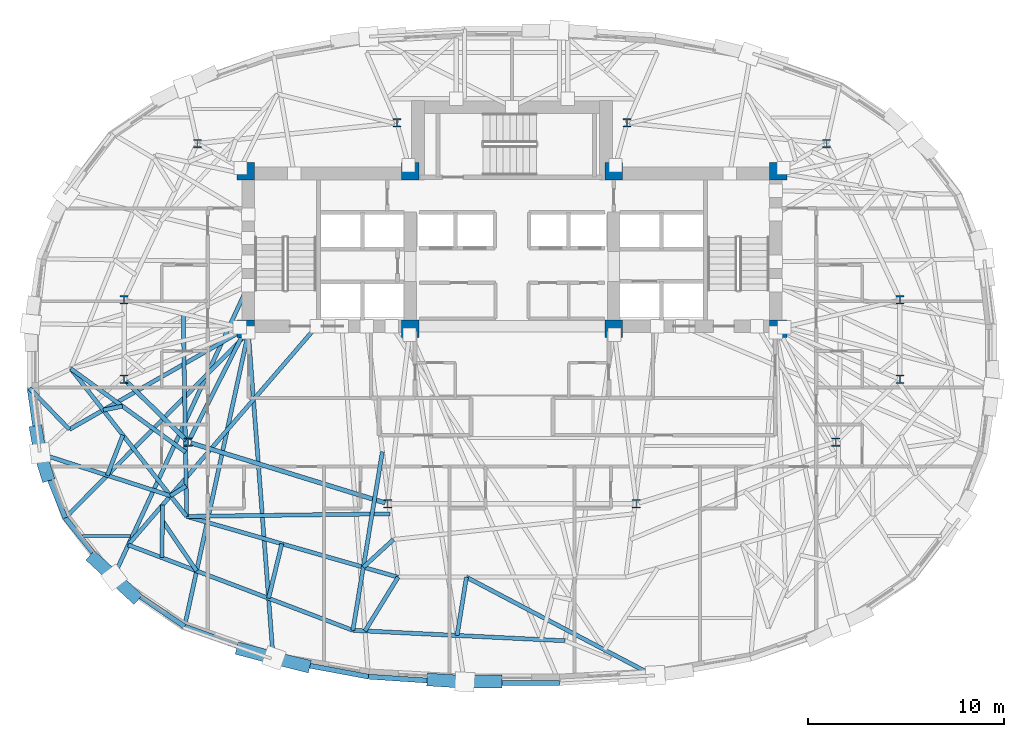
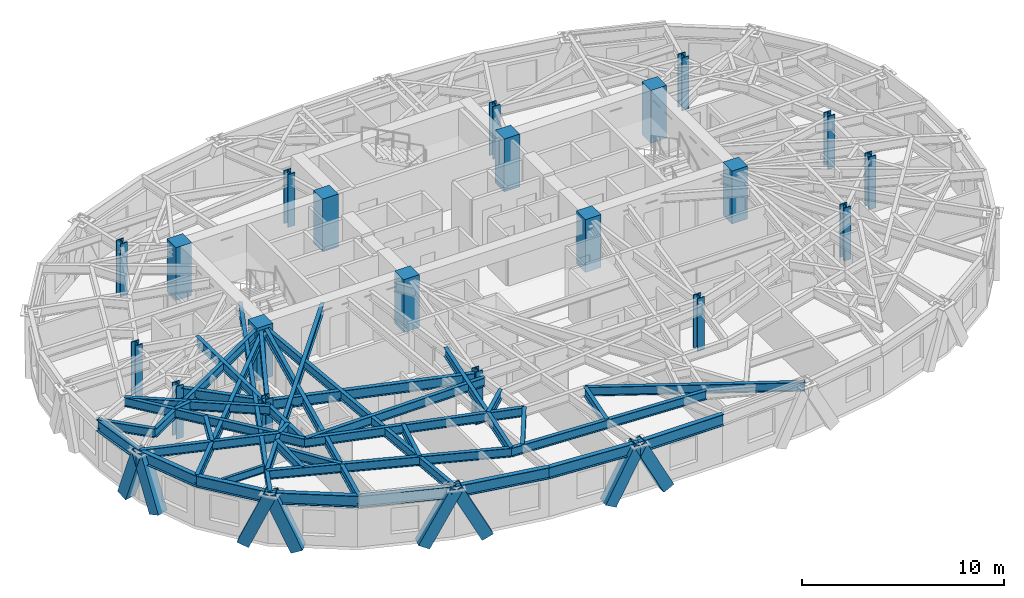
# One storey, part 1 of 15: 38 beams, 20 columns, 8 members.
"""IFC4 building model written with IfcOpenShell, lengths in metres."""

from ifc_helpers import new_model, si_unit, direction, frame, origin, origin_2d, place, context, subcontext, project, spatial, rectangle, hollow_rectangle, i_section, extrude, material, material_profile, profile_set, type_object, element, save


model = new_model("IFC4")

# Units and contexts
model_context = context("Model", 3, precision=1e-05, world=origin(), true_north=direction((0.0, 1.0)))
body_context = subcontext(model_context, "Body", "Model", "MODEL_VIEW")
ifc_project = project(units=[si_unit("LENGTHUNIT", "METRE"), si_unit("AREAUNIT", "SQUARE_METRE"), si_unit("VOLUMEUNIT", "CUBIC_METRE"), si_unit("PLANEANGLEUNIT", "RADIAN"), si_unit("MASSUNIT", "GRAM", prefix="KILO")], contexts=[model_context])

# Site, building, storey
site_placement = place(None, origin())
site = spatial("IfcSite", under=ifc_project, at=site_placement, CompositionType="ELEMENT")
building_placement = place(site_placement, origin())
building = spatial("IfcBuilding", under=site, at=building_placement, Name="Keldmark Tower", CompositionType="ELEMENT")
storey_placement = place(building_placement, frame((0.0, 0.0, 143.800048828125)))
storey = spatial("IfcBuildingStorey", under=building, at=storey_placement, Name="L38", CompositionType="ELEMENT", Elevation=143.800048828125)

# Columns
ifc_material_1 = material(Name="Concrete C50/60", Category="concrete")
ifc_material_profile_1 = material_profile(ifc_material_1, rectangle(XDim=0.89990234375, YDim=0.89990234375, at=origin_2d()), Name="RC900X900")
ifc_profile_set_1 = profile_set([ifc_material_profile_1], Name="Concrete C50/60")
column_type_1 = type_object("IfcColumnType", Name="Core Boundary Column RC900", PredefinedType="COLUMN", material=ifc_profile_set_1)
for number, where, z_axis, x_axis, name in (
    (1, (-13.60009765625, 1.39990234375, 0.0), (0.0, 0.0, 1.0), (1.0, 0.0, 0.0), "L38 Core Boundary Column CC-W1"),
    (2, (-13.60009765625, 9.449951171875, 0.0), (0.0, 0.0, 1.0), (1.0, 0.0, 0.0), "L38 Core Boundary Column CC-W2"),
    (3, (-5.199951171875, 1.39990234375, 0.0), (0.0, 0.0, 1.0), (1.0, 0.0, 0.0), "L38 Core Boundary Column CC-W3"),
    (4, (-5.199951171875, 9.449951171875, 0.0), (0.0, 0.0, 1.0), (1.0, 0.0, 0.0), "L38 Core Boundary Column CC-W4"),
    (5, (5.199951171875, 1.39990234375, 0.0), (0.0, 0.0, 1.0), (1.0, 0.0, 0.0), "L38 Core Boundary Column CC-E1"),
    (6, (5.199951171875, 9.449951171875, 0.0), (0.0, 0.0, 1.0), (1.0, 0.0, 0.0), "L38 Core Boundary Column CC-E2"),
    (7, (13.60009765625, 1.39990234375, 0.0), (0.0, 0.0, 1.0), (1.0, 0.0, 0.0), "L38 Core Boundary Column CC-E3"),
    (8, (13.60009765625, 9.449951171875, 0.0), (0.0, 0.0, 1.0), (1.0, 0.0, 0.0), "L38 Core Boundary Column CC-E4"),
):
    element("IfcColumn", number, at=place(storey_placement, frame(where, z_axis=z_axis, x_axis=x_axis)), inside=storey, type_object=column_type_1, Name=name, PredefinedType="COLUMN", context=body_context, shape_type="SweptSolid", body=[
        extrude(rectangle(XDim=0.89990234375, YDim=0.89990234375, at=origin_2d()), origin(), (0.0, 0.0, 1.0), 3.199951171875),
    ])
ifc_material_2 = material(Name="Steel ASTM A992 Grade 50", Category="steel")
ifc_material_profile_2 = material_profile(ifc_material_2, i_section(OverallWidth=0.412109375, OverallDepth=0.43505859375, WebThickness=0.035888671875, FlangeThickness=0.057373046875, at=origin_2d()), Name="W14X311")
ifc_profile_set_2 = profile_set([ifc_material_profile_2], Name="Steel ASTM A992 Grade 50")
column_type_2 = type_object("IfcColumnType", Name="Tower Gravity Column W14X311", PredefinedType="COLUMN", material=ifc_profile_set_2)
for number, where, z_axis, x_axis, name in (
    (9, (19.828369140625, 2.869140625, 0.0), (0.0, 0.0, 1.0), (1.0, 0.0, 0.0), "L38 Tower Gravity Column TC-E1"),
    (10, (16.08154296875, 10.861083984375, 0.0), (0.0, 0.0, 1.0), (1.0, 0.0, 0.0), "L38 Tower Gravity Column TC-E4"),
    (11, (5.880126953125, 11.915283203125, 0.0), (0.0, 0.0, 1.0), (1.0, 0.0, 0.0), "L38 Tower Gravity Column TC-N2"),
    (12, (-5.880126953125, 11.915283203125, 0.0), (0.0, 0.0, 1.0), (1.0, 0.0, 0.0), "L38 Tower Gravity Column TC-N1"),
    (13, (-16.08154296875, 10.861083984375, 0.0), (0.0, 0.0, 1.0), (1.0, 0.0, 0.0), "L38 Tower Gravity Column TC-W4"),
    (14, (-19.828369140625, 2.869140625, 0.0), (0.0, 0.0, 1.0), (1.0, 0.0, 0.0), "L38 Tower Gravity Column TC-W1"),
    (15, (-19.828369140625, -1.189208984375, 0.0), (0.0, 0.0, 1.0), (1.0, 0.0, 0.0), "L38 Tower Gravity Column TC-W5"),
    (16, (-16.546630859375, -4.3984375, 0.0), (0.0, 0.0, 1.0), (1.0, 0.0, 0.0), "L38 Tower Gravity Column TC-W2"),
    (17, (-6.351318359375, -7.546142578125, 0.0), (0.0, 0.0, 1.0), (1.0, 0.0, 0.0), "L38 Tower Gravity Column TC-W3"),
    (18, (6.351318359375, -7.546142578125, 0.0), (0.0, 0.0, 1.0), (1.0, 0.0, 0.0), "L38 Tower Gravity Column TC-E3"),
    (19, (16.546630859375, -4.3984375, 0.0), (0.0, 0.0, 1.0), (1.0, 0.0, 0.0), "L38 Tower Gravity Column TC-E2"),
    (20, (19.828369140625, -1.189208984375, 0.0), (0.0, 0.0, 1.0), (1.0, 0.0, 0.0), "L38 Tower Gravity Column TC-E5"),
):
    element("IfcColumn", number, at=place(storey_placement, frame(where, z_axis=z_axis, x_axis=x_axis)), inside=storey, type_object=column_type_2, Name=name, PredefinedType="COLUMN", context=body_context, shape_type="SweptSolid", body=[
        extrude(i_section(OverallWidth=0.412109375, OverallDepth=0.43505859375, WebThickness=0.035888671875, FlangeThickness=0.057373046875, at=origin_2d()), origin(), (0.0, 0.0, 1.0), 3.199951171875),
    ])

# Beam
ifc_material_3 = material(Name="Steel ASTM A992 Grade 50", Category="steel")
ifc_material_profile_3 = material_profile(ifc_material_3, i_section(OverallWidth=0.153076171875, OverallDepth=0.455078125, WebThickness=0.008056640625, FlangeThickness=0.01318359375, at=origin_2d()), Name="W18X40")
ifc_profile_set_3 = profile_set([ifc_material_profile_3], Name="Steel ASTM A992 Grade 50")
beam_type_1 = type_object("IfcBeamType", Name="Composite Floor Joist W18X40", PredefinedType="JOIST", material=ifc_profile_set_3)
beam_1_placement = place(storey_placement, frame((-21.94189453125, -9.199951171875, 2.79248046875), z_axis=(1.0, 0.0, 0.0), x_axis=(0.0, 1.0, 0.0)))
element("IfcBeam", 21, at=beam_1_placement, inside=storey, type_object=beam_type_1, Name="L38 Composite Floor Joist J02", PredefinedType="JOIST", context=body_context, shape_type="SweptSolid", body=[
    extrude(i_section(OverallWidth=0.153076171875, OverallDepth=0.455078125, WebThickness=0.008056640625, FlangeThickness=0.01318359375, at=origin_2d()), origin(), (0.0, 0.0, 1.0), 2.43505859375),
])

# Members
ifc_material_4 = material(Name="Steel ASTM A572 Grade 50", Category="steel")
ifc_material_profile_4 = material_profile(ifc_material_4, hollow_rectangle(XDim=0.64990234375, YDim=0.64990234375, WallThickness=0.0400390625, at=origin_2d()), Name="BOX650X650X40")
ifc_profile_set_4 = profile_set([ifc_material_profile_4], Name="Steel ASTM A572 Grade 50")
member_type = type_object("IfcMemberType", Name="Diagrid Zone 3 Brace BOX650X650X40", PredefinedType="BRACE", material=ifc_profile_set_4)
member_1_placement = place(storey_placement, frame((-24.310302734375, -3.864990234375, -0.260009765625), z_axis=(0.057983541916, -0.328233467175, 0.942815305292), x_axis=(0.984752742051, 0.173959871876, 0.0)))
element("IfcMember", 22, at=member_1_placement, inside=storey, type_object=member_type, Name="L38 Perimeter Diagrid Brace 09A", PredefinedType="BRACE", context=body_context, shape_type="SweptSolid", body=[
    extrude(hollow_rectangle(XDim=0.64990234375, YDim=0.64990234375, WallThickness=0.0400390625, at=origin_2d()), origin(), (0.0, 0.0, 1.0), 3.3515625),
])
member_2_placement = place(storey_placement, frame((-23.76611328125, -6.081787109375, -0.260009765625), z_axis=(-0.104423532685, 0.334401347567, 0.936627708626), x_axis=(-0.954542441531, -0.298075036384, 0.0)))
element("IfcMember", 23, at=member_2_placement, inside=storey, type_object=member_type, Name="L38 Perimeter Diagrid Brace 09B", PredefinedType="BRACE", context=body_context, shape_type="SweptSolid", body=[
    extrude(hollow_rectangle(XDim=0.64990234375, YDim=0.64990234375, WallThickness=0.0400390625, at=origin_2d()), origin(), (0.0, 0.0, 1.0), 3.373779296875),
])
member_3_placement = place(storey_placement, frame((-21.344482421875, -10.387939453125, -0.260009765625), z_axis=(0.291987734799, -0.269298061381, 0.917726384531), x_axis=(0.67796865305, 0.735090814445, 0.0)))
element("IfcMember", 24, at=member_3_placement, inside=storey, type_object=member_type, Name="L38 Perimeter Diagrid Brace 10A", PredefinedType="BRACE", context=body_context, shape_type="SweptSolid", body=[
    extrude(hollow_rectangle(XDim=0.64990234375, YDim=0.64990234375, WallThickness=0.0400390625, at=origin_2d()), origin(), (0.0, 0.0, 1.0), 3.443115234375),
])
member_4_placement = place(storey_placement, frame((-19.322509765625, -12.255859375, -0.260009765625), z_axis=(-0.296105459539, 0.275116599997, 0.914676124777), x_axis=(-0.680665672598, -0.732594186536, 0.0)))
element("IfcMember", 25, at=member_4_placement, inside=storey, type_object=member_type, Name="L38 Perimeter Diagrid Brace 10B", PredefinedType="BRACE", context=body_context, shape_type="SweptSolid", body=[
    extrude(hollow_rectangle(XDim=0.64990234375, YDim=0.64990234375, WallThickness=0.0400390625, at=origin_2d()), origin(), (0.0, 0.0, 1.0), 3.45458984375),
])
member_5_placement = place(storey_placement, frame((-13.790283203125, -14.99755859375, -0.260009765625), z_axis=(0.453811427562, -0.120870862715, 0.88286206327), x_axis=(0.257373355247, 0.966312038634, 0.0)))
element("IfcMember", 26, at=member_5_placement, inside=storey, type_object=member_type, Name="L38 Perimeter Diagrid Brace 11A", PredefinedType="BRACE", context=body_context, shape_type="SweptSolid", body=[
    extrude(hollow_rectangle(XDim=0.64990234375, YDim=0.64990234375, WallThickness=0.0400390625, at=origin_2d()), origin(), (0.0, 0.0, 1.0), 3.5791015625),
])
member_6_placement = place(storey_placement, frame((-10.615478515625, -15.813232421875, -0.260009765625), z_axis=(-0.440064957334, 0.109895739619, 0.891215888402), x_axis=(-0.242285580262, -0.970204977104, 0.0)))
element("IfcMember", 27, at=member_6_placement, inside=storey, type_object=member_type, Name="L38 Perimeter Diagrid Brace 11B", PredefinedType="BRACE", context=body_context, shape_type="SweptSolid", body=[
    extrude(hollow_rectangle(XDim=0.64990234375, YDim=0.64990234375, WallThickness=0.0400390625, at=origin_2d()), origin(), (0.0, 0.0, 1.0), 3.545654296875),
])
member_7_placement = place(storey_placement, frame((-4.05078125, -16.5498046875, -0.260009765625), z_axis=(0.460434967327, -0.029201324413, 0.887213009099), x_axis=(0.063294005914, 0.997994924243, 0.0)))
element("IfcMember", 28, at=member_7_placement, inside=storey, type_object=member_type, Name="L38 Perimeter Diagrid Brace 12A", PredefinedType="BRACE", context=body_context, shape_type="SweptSolid", body=[
    extrude(hollow_rectangle(XDim=0.64990234375, YDim=0.64990234375, WallThickness=0.0400390625, at=origin_2d()), origin(), (0.0, 0.0, 1.0), 3.5615234375),
])
member_8_placement = place(storey_placement, frame((-0.802734375, -16.635986328125, -0.260009765625), z_axis=(-0.456125309598, -0.00433160906, 0.889905016902), x_axis=(0.009496104822, -0.99995491098, 0.0)))
element("IfcMember", 29, at=member_8_placement, inside=storey, type_object=member_type, Name="L38 Perimeter Diagrid Brace 12B", PredefinedType="BRACE", context=body_context, shape_type="SweptSolid", body=[
    extrude(hollow_rectangle(XDim=0.64990234375, YDim=0.64990234375, WallThickness=0.0400390625, at=origin_2d()), origin(), (0.0, 0.0, 1.0), 3.55078125),
])

# Beams
ifc_material_5 = material(Name="Steel ASTM A992 Grade 50", Category="steel")
ifc_material_profile_5 = material_profile(ifc_material_5, i_section(OverallWidth=0.22900390625, OverallDepth=0.612060546875, WebThickness=0.011962890625, FlangeThickness=0.01953125, at=origin_2d()), Name="W24X84")
ifc_profile_set_5 = profile_set([ifc_material_profile_5], Name="Steel ASTM A992 Grade 50")
beam_type_2 = type_object("IfcBeamType", Name="Primary Floor Girder W24X84", PredefinedType="BEAM", material=ifc_profile_set_5)
beam_2_placement = place(storey_placement, frame((-19.728271484375, -1.287109375, 2.7138671875), z_axis=(0.714964509815, -0.699160746684, 0.0), x_axis=(0.699160746684, 0.714964509815, 0.0)))
element("IfcBeam", 30, at=beam_2_placement, inside=storey, type_object=beam_type_2, Name="L38 Floor Ring Girder FG-R07", PredefinedType="BEAM", context=body_context, shape_type="SweptSolid", body=[
    extrude(i_section(OverallWidth=0.22900390625, OverallDepth=0.612060546875, WebThickness=0.011962890625, FlangeThickness=0.01953125, at=origin_2d()), origin(), (0.0, 0.0, 1.0), 4.31005859375),
])
beam_3_placement = place(storey_placement, frame((-16.412841796875, -4.439697265625, 2.7138671875), z_axis=(0.955494563145, -0.295008711398, 0.0), x_axis=(0.295008711398, 0.955494563145, 0.0)))
element("IfcBeam", 31, at=beam_3_placement, inside=storey, type_object=beam_type_2, Name="L38 Floor Ring Girder FG-R08", PredefinedType="BEAM", context=body_context, shape_type="SweptSolid", body=[
    extrude(i_section(OverallWidth=0.22900390625, OverallDepth=0.612060546875, WebThickness=0.011962890625, FlangeThickness=0.01953125, at=origin_2d()), origin(), (0.0, 0.0, 1.0), 10.39013671875),
])
ifc_material_6 = material(Name="Steel ASTM A992 Grade 50", Category="steel")
ifc_material_profile_6 = material_profile(ifc_material_6, i_section(OverallWidth=0.2099609375, OverallDepth=0.537109375, WebThickness=0.010986328125, FlangeThickness=0.017333984375, at=origin_2d()), Name="W21X68")
ifc_profile_set_6 = profile_set([ifc_material_profile_6], Name="Steel ASTM A992 Grade 50")
beam_type_3 = type_object("IfcBeamType", Name="Radial Tie Girder W21X68", PredefinedType="BEAM", material=ifc_profile_set_6)
beam_4_placement = place(storey_placement, frame((-16.4833984375, -4.273681640625, 2.75146484375), z_axis=(0.453036691775, 0.891491870914, 0.0), x_axis=(-0.891491870914, 0.453036691775, 0.0)))
element("IfcBeam", 32, at=beam_4_placement, inside=storey, type_object=beam_type_3, Name="L38 Floor Radial Girder FG-C08", PredefinedType="BEAM", context=body_context, shape_type="SweptSolid", body=[
    extrude(i_section(OverallWidth=0.2099609375, OverallDepth=0.537109375, WebThickness=0.010986328125, FlangeThickness=0.017333984375, at=origin_2d()), origin(), (0.0, 0.0, 1.0), 6.044189453125),
])
beam_5_placement = place(storey_placement, frame((-22.553955078125, -0.643310546875, 2.75146484375), z_axis=(0.80879571224, -0.588089700524, 0.0), x_axis=(0.588089700524, 0.80879571224, 0.0)))
element("IfcBeam", 33, at=beam_5_placement, inside=storey, type_object=beam_type_3, Name="L38 Framing Pin Header PH-004", PredefinedType="BEAM", context=body_context, shape_type="SweptSolid", body=[
    extrude(i_section(OverallWidth=0.2099609375, OverallDepth=0.537109375, WebThickness=0.010986328125, FlangeThickness=0.017333984375, at=origin_2d()), origin(), (0.0, 0.0, 1.0), 7.2587890625),
])
beam_6_placement = place(storey_placement, frame((-16.8017578125, 2.1552734375, 2.75146484375), z_axis=(0.016811678679, -0.999858673743, 0.0), x_axis=(0.999858673743, 0.016811678679, 0.0)))
element("IfcBeam", 34, at=beam_6_placement, inside=storey, type_object=beam_type_3, Name="L38 Sub-Ring Step Girder STP1-M08", PredefinedType="BEAM", context=body_context, shape_type="SweptSolid", body=[
    extrude(i_section(OverallWidth=0.2099609375, OverallDepth=0.537109375, WebThickness=0.010986328125, FlangeThickness=0.017333984375, at=origin_2d()), origin(), (0.0, 0.0, 1.0), 10.354248046875),
])
beam_7_placement = place(storey_placement, frame((-16.627685546875, -8.197509765625, 2.75146484375), z_axis=(0.999916362794, 0.012933190514, 0.0), x_axis=(-0.012933190514, 0.999916362794, 0.0)))
element("IfcBeam", 35, at=beam_7_placement, inside=storey, type_object=beam_type_3, Name="L38 Framing Pin Header PH-005", PredefinedType="BEAM", context=body_context, shape_type="SweptSolid", body=[
    extrude(i_section(OverallWidth=0.2099609375, OverallDepth=0.537109375, WebThickness=0.010986328125, FlangeThickness=0.017333984375, at=origin_2d()), origin(), (0.0, 0.0, 1.0), 10.4013671875),
])
beam_8_placement = place(storey_placement, frame((-22.553955078125, -0.643310546875, 2.75146484375), z_axis=(0.617230686165, -0.78678223166, 0.0), x_axis=(0.78678223166, 0.617230686165, 0.0)))
element("IfcBeam", 36, at=beam_8_placement, inside=storey, type_object=beam_type_3, Name="L38 Perimeter Collector Ring Beam CRG1-M07", PredefinedType="BEAM", context=body_context, shape_type="SweptSolid", body=[
    extrude(i_section(OverallWidth=0.2099609375, OverallDepth=0.537109375, WebThickness=0.010986328125, FlangeThickness=0.017333984375, at=origin_2d()), origin(), (0.0, 0.0, 1.0), 9.601318359375),
])
beam_9_placement = place(storey_placement, frame((-16.627685546875, -8.197509765625, 2.75146484375), z_axis=(0.961097484025, -0.27620938833, 0.0), x_axis=(0.27620938833, 0.961097484025, 0.0)))
element("IfcBeam", 37, at=beam_9_placement, inside=storey, type_object=beam_type_3, Name="L38 Perimeter Collector Ring Beam CRG1-M08", PredefinedType="BEAM", context=body_context, shape_type="SweptSolid", body=[
    extrude(i_section(OverallWidth=0.2099609375, OverallDepth=0.537109375, WebThickness=0.010986328125, FlangeThickness=0.017333984375, at=origin_2d()), origin(), (0.0, 0.0, 1.0), 11.2421875),
])
beam_10_placement = place(storey_placement, frame((-16.65380859375, -6.64453125, 2.75146484375), z_axis=(-0.848811455332, -0.528695671721, 0.0), x_axis=(0.528695671721, -0.848811455332, 0.0)))
element("IfcBeam", 38, at=beam_10_placement, inside=storey, type_object=beam_type_3, Name="L38 Framing Pin Header PH-010", PredefinedType="BEAM", context=body_context, shape_type="SweptSolid", body=[
    extrude(i_section(OverallWidth=0.2099609375, OverallDepth=0.537109375, WebThickness=0.010986328125, FlangeThickness=0.017333984375, at=origin_2d()), origin(), (0.0, 0.0, 1.0), 0.943359375),
])
beam_11_placement = place(storey_placement, frame((-9.97509765625, 1.52490234375, 2.75146484375), z_axis=(-0.653289959684, -0.757107805122, 0.0), x_axis=(0.757107805122, -0.653289959684, 0.0)))
element("IfcBeam", 39, at=beam_11_placement, inside=storey, type_object=beam_type_3, Name="L38 Sub-Ring Step Girder STP2-M08", PredefinedType="BEAM", context=body_context, shape_type="SweptSolid", body=[
    extrude(i_section(OverallWidth=0.2099609375, OverallDepth=0.537109375, WebThickness=0.010986328125, FlangeThickness=0.017333984375, at=origin_2d()), origin(), (0.0, 0.0, 1.0), 14.76123046875),
])
beam_12_placement = place(storey_placement, frame((-6.06298828125, -9.378662109375, 2.75146484375), z_axis=(-0.736070825034, -0.676904528375, 0.0), x_axis=(0.676904528375, -0.736070825034, 0.0)))
element("IfcBeam", 40, at=beam_12_placement, inside=storey, type_object=beam_type_3, Name="L38 Framing Pin Header PH-011", PredefinedType="BEAM", context=body_context, shape_type="SweptSolid", body=[
    extrude(i_section(OverallWidth=0.2099609375, OverallDepth=0.537109375, WebThickness=0.010986328125, FlangeThickness=0.017333984375, at=origin_2d()), origin(), (0.0, 0.0, 1.0), 2.087890625),
])
beam_13_placement = place(storey_placement, frame((-6.623779296875, -4.888916015625, 2.75146484375), z_axis=(-0.163124130849, -0.986605553367, 0.0), x_axis=(0.986605553367, -0.163124130849, 0.0)))
element("IfcBeam", 41, at=beam_13_placement, inside=storey, type_object=beam_type_3, Name="L38 Sub-Ring Step Girder STP2-M09", PredefinedType="BEAM", context=body_context, shape_type="SweptSolid", body=[
    extrude(i_section(OverallWidth=0.2099609375, OverallDepth=0.537109375, WebThickness=0.010986328125, FlangeThickness=0.017333984375, at=origin_2d()), origin(), (0.0, 0.0, 1.0), 9.25537109375),
])
beam_14_placement = place(storey_placement, frame((-19.618408203125, -9.65087890625, 2.75146484375), z_axis=(0.934644701935, -0.355583015827, 0.0), x_axis=(0.355583015827, 0.934644701935, 0.0)))
element("IfcBeam", 42, at=beam_14_placement, inside=storey, type_object=beam_type_3, Name="L38 Perimeter Collector Ring Beam CRG2-M08", PredefinedType="BEAM", context=body_context, shape_type="SweptSolid", body=[
    extrude(i_section(OverallWidth=0.2099609375, OverallDepth=0.537109375, WebThickness=0.010986328125, FlangeThickness=0.017333984375, at=origin_2d()), origin(), (0.0, 0.0, 1.0), 12.287841796875),
])
beam_15_placement = place(storey_placement, frame((-8.133544921875, -14.020263671875, 2.75146484375), z_axis=(0.998798145133, -0.049012909316, 0.0), x_axis=(0.049012909316, 0.998798145133, 0.0)))
element("IfcBeam", 43, at=beam_15_placement, inside=storey, type_object=beam_type_3, Name="L38 Perimeter Collector Ring Beam CRG2-M09", PredefinedType="BEAM", context=body_context, shape_type="SweptSolid", body=[
    extrude(i_section(OverallWidth=0.2099609375, OverallDepth=0.537109375, WebThickness=0.010986328125, FlangeThickness=0.017333984375, at=origin_2d()), origin(), (0.0, 0.0, 1.0), 10.86376953125),
])
beam_16_placement = place(storey_placement, frame((-19.912109375, -2.564208984375, 2.75146484375), z_axis=(-0.97989779576, -0.199500150035, 0.0), x_axis=(0.199500150035, -0.97989779576, 0.0)))
element("IfcBeam", 44, at=beam_16_placement, inside=storey, type_object=beam_type_3, Name="L38 Framing Pin Header PH-025", PredefinedType="BEAM", context=body_context, shape_type="SweptSolid", body=[
    extrude(i_section(OverallWidth=0.2099609375, OverallDepth=0.537109375, WebThickness=0.010986328125, FlangeThickness=0.017333984375, at=origin_2d()), origin(), (0.0, 0.0, 1.0), 0.99853515625),
])
beam_17_placement = place(storey_placement, frame((-13.60009765625, 1.39990234375, 2.75146484375), z_axis=(-0.868377585209, -0.495903588923, 0.0), x_axis=(0.495903588923, -0.868377585209, 0.0)))
element("IfcBeam", 45, at=beam_17_placement, inside=storey, type_object=beam_type_3, Name="L38 Intermediate Radial Step Girder RT-18M", PredefinedType="BEAM", context=body_context, shape_type="SweptSolid", body=[
    extrude(i_section(OverallWidth=0.2099609375, OverallDepth=0.537109375, WebThickness=0.010986328125, FlangeThickness=0.017333984375, at=origin_2d()), origin(), (0.0, 0.0, 1.0), 10.390380859375),
])
beam_18_placement = place(storey_placement, frame((-24.65380859375, -1.64599609375, 2.75146484375), z_axis=(0.694056823209, -0.719920222078, 0.0), x_axis=(0.719920222078, 0.694056823209, 0.0)))
element("IfcBeam", 46, at=beam_18_placement, inside=storey, type_object=beam_type_3, Name="L38 Local Collector Chord RT-18C", PredefinedType="BEAM", context=body_context, shape_type="SweptSolid", body=[
    extrude(i_section(OverallWidth=0.2099609375, OverallDepth=0.537109375, WebThickness=0.010986328125, FlangeThickness=0.017333984375, at=origin_2d()), origin(), (0.0, 0.0, 1.0), 2.92626953125),
])
beam_19_placement = place(storey_placement, frame((-17.895751953125, -10.306396484375, 2.75146484375), z_axis=(0.015014137379, 0.999887281487, 0.0), x_axis=(-0.999887281487, 0.015014137379, 0.0)))
element("IfcBeam", 47, at=beam_19_placement, inside=storey, type_object=beam_type_3, Name="L38 Framing Pin Header PH-026", PredefinedType="BEAM", context=body_context, shape_type="SweptSolid", body=[
    extrude(i_section(OverallWidth=0.2099609375, OverallDepth=0.537109375, WebThickness=0.010986328125, FlangeThickness=0.017333984375, at=origin_2d()), origin(), (0.0, 0.0, 1.0), 2.69921875),
])
beam_20_placement = place(storey_placement, frame((-13.47509765625, 3.6142578125, 2.75146484375), z_axis=(-0.419716636995, -0.907655190383, 0.0), x_axis=(0.907655190383, -0.419716636995, 0.0)))
element("IfcBeam", 48, at=beam_20_placement, inside=storey, type_object=beam_type_3, Name="L38 Perimeter Radial Tie Girder RT-20", PredefinedType="BEAM", context=body_context, shape_type="SweptSolid", body=[
    extrude(i_section(OverallWidth=0.2099609375, OverallDepth=0.537109375, WebThickness=0.010986328125, FlangeThickness=0.017333984375, at=origin_2d()), origin(), (0.0, 0.0, 1.0), 16.4794921875),
])
beam_21_placement = place(storey_placement, frame((-17.867431640625, -8.4169921875, 2.75146484375), z_axis=(0.563200172192, -0.82632049838, 0.0), x_axis=(0.82632049838, 0.563200172192, 0.0)))
element("IfcBeam", 49, at=beam_21_placement, inside=storey, type_object=beam_type_3, Name="L38 Framing Pin Header PH-027", PredefinedType="BEAM", context=body_context, shape_type="SweptSolid", body=[
    extrude(i_section(OverallWidth=0.2099609375, OverallDepth=0.537109375, WebThickness=0.010986328125, FlangeThickness=0.017333984375, at=origin_2d()), origin(), (0.0, 0.0, 1.0), 3.104736328125),
])
beam_22_placement = place(storey_placement, frame((-13.47509765625, 1.199951171875, 2.75146484375), z_axis=(-0.212076206502, -0.9772531313, 0.0), x_axis=(0.9772531313, -0.212076206502, 0.0)))
element("IfcBeam", 50, at=beam_22_placement, inside=storey, type_object=beam_type_3, Name="L38 Perimeter Radial Tie Girder RT-21", PredefinedType="BEAM", context=body_context, shape_type="SweptSolid", body=[
    extrude(i_section(OverallWidth=0.2099609375, OverallDepth=0.537109375, WebThickness=0.010986328125, FlangeThickness=0.017333984375, at=origin_2d()), origin(), (0.0, 0.0, 1.0), 15.371826171875),
])
beam_23_placement = place(storey_placement, frame((-11.765380859375, -9.594970703125, 2.75146484375), z_axis=(-0.235256402069, -0.971933344055, 0.0), x_axis=(0.971933344055, -0.235256402069, 0.0)))
element("IfcBeam", 51, at=beam_23_placement, inside=storey, type_object=beam_type_3, Name="L38 Framing Pin Header PH-028", PredefinedType="BEAM", context=body_context, shape_type="SweptSolid", body=[
    extrude(i_section(OverallWidth=0.2099609375, OverallDepth=0.537109375, WebThickness=0.010986328125, FlangeThickness=0.017333984375, at=origin_2d()), origin(), (0.0, 0.0, 1.0), 2.867431640625),
])
beam_24_placement = place(storey_placement, frame((-13.47509765625, 1.199951171875, 2.75146484375), z_axis=(0.075994342359, -0.997108248852, 0.0), x_axis=(0.997108248852, 0.075994342359, 0.0)))
element("IfcBeam", 52, at=beam_24_placement, inside=storey, type_object=beam_type_3, Name="L38 Perimeter Radial Tie Girder RT-22", PredefinedType="BEAM", context=body_context, shape_type="SweptSolid", body=[
    extrude(i_section(OverallWidth=0.2099609375, OverallDepth=0.537109375, WebThickness=0.010986328125, FlangeThickness=0.017333984375, at=origin_2d()), origin(), (0.0, 0.0, 1.0), 16.724853515625),
])
beam_25_placement = place(storey_placement, frame((-5.82275390625, -11.302734375, 2.75146484375), z_axis=(-0.523615921443, -0.851954439399, 0.0), x_axis=(0.851954439399, -0.523615921443, 0.0)))
element("IfcBeam", 53, at=beam_25_placement, inside=storey, type_object=beam_type_3, Name="L38 Framing Pin Header PH-029", PredefinedType="BEAM", context=body_context, shape_type="SweptSolid", body=[
    extrude(i_section(OverallWidth=0.2099609375, OverallDepth=0.537109375, WebThickness=0.010986328125, FlangeThickness=0.017333984375, at=origin_2d()), origin(), (0.0, 0.0, 1.0), 3.2255859375),
])
beam_26_placement = place(storey_placement, frame((-2.3291015625, -11.302734375, 2.75146484375), z_axis=(-0.157491764065, -0.987520300678, 0.0), x_axis=(0.987520300678, -0.157491764065, 0.0)))
element("IfcBeam", 54, at=beam_26_placement, inside=storey, type_object=beam_type_3, Name="L38 Framing Pin Header PH-030", PredefinedType="BEAM", context=body_context, shape_type="SweptSolid", body=[
    extrude(i_section(OverallWidth=0.2099609375, OverallDepth=0.537109375, WebThickness=0.010986328125, FlangeThickness=0.017333984375, at=origin_2d()), origin(), (0.0, 0.0, 1.0), 3.0166015625),
])
beam_27_placement = place(storey_placement, frame((-2.3291015625, -11.302734375, 2.75146484375), z_axis=(0.884969145799, -0.465649665503, 0.0), x_axis=(0.465649665503, 0.884969145799, 0.0)))
element("IfcBeam", 55, at=beam_27_placement, inside=storey, type_object=beam_type_3, Name="L38 Perimeter Radial Tie Girder RT-26", PredefinedType="BEAM", context=body_context, shape_type="SweptSolid", body=[
    extrude(i_section(OverallWidth=0.2099609375, OverallDepth=0.537109375, WebThickness=0.010986328125, FlangeThickness=0.017333984375, at=origin_2d()), origin(), (0.0, 0.0, 1.0), 10.91845703125),
])
beam_28_placement = place(storey_placement, frame((-24.17578125, -4.970947265625, 2.75146484375), z_axis=(0.951533201945, -0.307546038173, 0.0), x_axis=(0.307546038173, 0.951533201945, 0.0)))
element("IfcBeam", 56, at=beam_28_placement, inside=storey, type_object=beam_type_3, Name="L38 Straddling Support Chord RT-19RB", PredefinedType="BEAM", context=body_context, shape_type="SweptSolid", body=[
    extrude(i_section(OverallWidth=0.2099609375, OverallDepth=0.537109375, WebThickness=0.010986328125, FlangeThickness=0.017333984375, at=origin_2d()), origin(), (0.0, 0.0, 1.0), 7.0634765625),
])
beam_29_placement = place(storey_placement, frame((-19.88720703125, -4.042724609375, 2.75146484375), z_axis=(-0.361906771803, -0.932214293241, 0.0), x_axis=(0.932214293241, -0.361906771803, 0.0)))
element("IfcBeam", 57, at=beam_29_placement, inside=storey, type_object=beam_type_3, Name="L38 Framing Pin Header PH-042", PredefinedType="BEAM", context=body_context, shape_type="SweptSolid", body=[
    extrude(i_section(OverallWidth=0.2099609375, OverallDepth=0.537109375, WebThickness=0.010986328125, FlangeThickness=0.017333984375, at=origin_2d()), origin(), (0.0, 0.0, 1.0), 2.205810546875),
])
beam_30_placement = place(storey_placement, frame((-13.47509765625, 1.199951171875, 2.75146484375), z_axis=(-0.702775509597, -0.711411683282, 0.0), x_axis=(0.711411683282, -0.702775509597, 0.0)))
element("IfcBeam", 58, at=beam_30_placement, inside=storey, type_object=beam_type_3, Name="L38 Perimeter Radial Tie Girder RT-19R", PredefinedType="BEAM", context=body_context, shape_type="SweptSolid", body=[
    extrude(i_section(OverallWidth=0.2099609375, OverallDepth=0.537109375, WebThickness=0.010986328125, FlangeThickness=0.017333984375, at=origin_2d()), origin(), (0.0, 0.0, 1.0), 13.31494140625),
])
ifc_material_7 = material(Name="Steel ASTM A992 Grade 50", Category="steel")
ifc_material_profile_7 = material_profile(ifc_material_7, i_section(OverallWidth=0.256103515625, OverallDepth=0.693115234375, WebThickness=0.014404296875, FlangeThickness=0.023681640625, at=origin_2d()), Name="W27X114")
ifc_profile_set_7 = profile_set([ifc_material_profile_7], Name="Steel ASTM A992 Grade 50")
beam_type_4 = type_object("IfcBeamType", Name="Spandrel Ring Beam W27X114", PredefinedType="SPANDREL", material=ifc_profile_set_7)
beam_31_placement = place(storey_placement, frame((-24.65380859375, -1.64599609375, 2.67333984375), z_axis=(0.142306536474, -0.989822635464, 0.0), x_axis=(0.989822635464, 0.142306536474, 0.0)))
element("IfcBeam", 59, at=beam_31_placement, inside=storey, type_object=beam_type_4, Name="L38 Perimeter Spandrel Ring Beam SRB-17", PredefinedType="SPANDREL", context=body_context, shape_type="SweptSolid", body=[
    extrude(i_section(OverallWidth=0.256103515625, OverallDepth=0.693115234375, WebThickness=0.014404296875, FlangeThickness=0.023681640625, at=origin_2d()), origin(), (0.0, 0.0, 1.0), 3.359130859375),
])
beam_32_placement = place(storey_placement, frame((-24.17578125, -4.970947265625, 2.67333984375), z_axis=(0.376863872061, -0.926268655378, 0.0), x_axis=(0.926268655378, 0.376863872061, 0.0)))
element("IfcBeam", 60, at=beam_32_placement, inside=storey, type_object=beam_type_4, Name="L38 Perimeter Spandrel Ring Beam SRB-18", PredefinedType="SPANDREL", context=body_context, shape_type="SweptSolid", body=[
    extrude(i_section(OverallWidth=0.256103515625, OverallDepth=0.693115234375, WebThickness=0.014404296875, FlangeThickness=0.023681640625, at=origin_2d()), origin(), (0.0, 0.0, 1.0), 3.564208984375),
])
beam_33_placement = place(storey_placement, frame((-22.83251953125, -8.2724609375, 2.67333984375), z_axis=(0.622179579914, -0.78287455594, 0.0), x_axis=(0.78287455594, 0.622179579914, 0.0)))
element("IfcBeam", 61, at=beam_33_placement, inside=storey, type_object=beam_type_4, Name="L38 Perimeter Spandrel Ring Beam SRB-19", PredefinedType="SPANDREL", context=body_context, shape_type="SweptSolid", body=[
    extrude(i_section(OverallWidth=0.256103515625, OverallDepth=0.693115234375, WebThickness=0.014404296875, FlangeThickness=0.023681640625, at=origin_2d()), origin(), (0.0, 0.0, 1.0), 3.9228515625),
])
beam_34_placement = place(storey_placement, frame((-20.391845703125, -11.343505859375, 2.67333984375), z_axis=(0.827748957235, -0.561098622166, 0.0), x_axis=(0.561098622166, 0.827748957235, 0.0)))
element("IfcBeam", 62, at=beam_34_placement, inside=storey, type_object=beam_type_4, Name="L38 Perimeter Spandrel Ring Beam SRB-20", PredefinedType="SPANDREL", context=body_context, shape_type="SweptSolid", body=[
    extrude(i_section(OverallWidth=0.256103515625, OverallDepth=0.693115234375, WebThickness=0.014404296875, FlangeThickness=0.023681640625, at=origin_2d()), origin(), (0.0, 0.0, 1.0), 4.417724609375),
])
beam_35_placement = place(storey_placement, frame((-16.735107421875, -13.822265625, 2.67333984375), z_axis=(0.939349296455, -0.342961950147, 0.0), x_axis=(0.342961950147, 0.939349296455, 0.0)))
element("IfcBeam", 63, at=beam_35_placement, inside=storey, type_object=beam_type_4, Name="L38 Perimeter Spandrel Ring Beam SRB-21", PredefinedType="SPANDREL", context=body_context, shape_type="SweptSolid", body=[
    extrude(i_section(OverallWidth=0.256103515625, OverallDepth=0.693115234375, WebThickness=0.014404296875, FlangeThickness=0.023681640625, at=origin_2d()), origin(), (0.0, 0.0, 1.0), 4.823486328125),
])
beam_36_placement = place(storey_placement, frame((-12.2041015625, -15.4765625, 2.67333984375), z_axis=(0.98297578121, -0.183735172338, 0.0), x_axis=(0.183735172338, 0.98297578121, 0.0)))
element("IfcBeam", 64, at=beam_36_placement, inside=storey, type_object=beam_type_4, Name="L38 Perimeter Spandrel Ring Beam SRB-22", PredefinedType="SPANDREL", context=body_context, shape_type="SweptSolid", body=[
    extrude(i_section(OverallWidth=0.256103515625, OverallDepth=0.693115234375, WebThickness=0.014404296875, FlangeThickness=0.023681640625, at=origin_2d()), origin(), (0.0, 0.0, 1.0), 4.955078125),
])
beam_37_placement = place(storey_placement, frame((-7.33349609375, -16.386962890625, 2.67333984375), z_axis=(0.997822793171, -0.065952054018, 0.0), x_axis=(0.065952054018, 0.997822793171, 0.0)))
element("IfcBeam", 65, at=beam_37_placement, inside=storey, type_object=beam_type_4, Name="L38 Perimeter Spandrel Ring Beam SRB-23", PredefinedType="SPANDREL", context=body_context, shape_type="SweptSolid", body=[
    extrude(i_section(OverallWidth=0.256103515625, OverallDepth=0.693115234375, WebThickness=0.014404296875, FlangeThickness=0.023681640625, at=origin_2d()), origin(), (0.0, 0.0, 1.0), 4.916015625),
])
beam_38_placement = place(storey_placement, frame((-2.42822265625, -16.711181640625, 2.67333984375), z_axis=(1.0, 0.0, 0.0), x_axis=(0.0, 1.0, 0.0)))
element("IfcBeam", 66, at=beam_38_placement, inside=storey, type_object=beam_type_4, Name="L38 Perimeter Spandrel Ring Beam SRB-24", PredefinedType="SPANDREL", context=body_context, shape_type="SweptSolid", body=[
    extrude(i_section(OverallWidth=0.256103515625, OverallDepth=0.693115234375, WebThickness=0.014404296875, FlangeThickness=0.023681640625, at=origin_2d()), origin(), (0.0, 0.0, 1.0), 4.8564453125),
])

save(model, "model.ifc")
